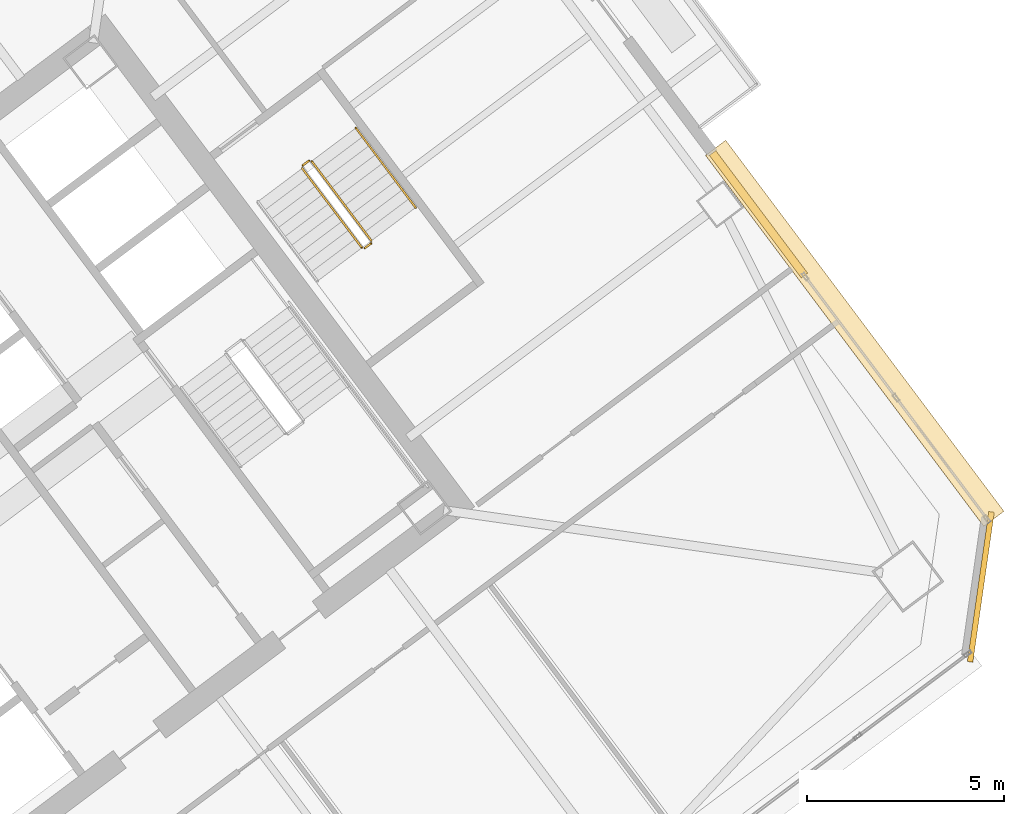
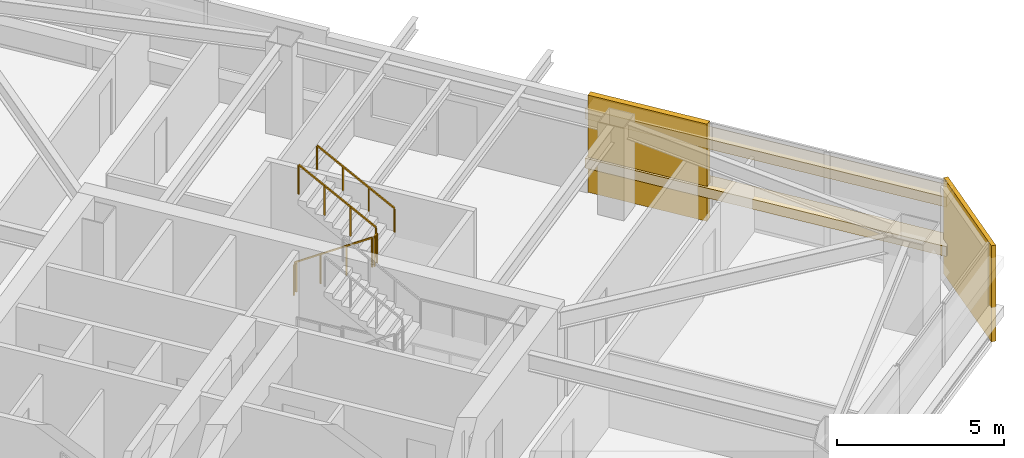
# One storey, part 43 of 44: 5 railings, 4 coverings.
"""IFC4 building model written with IfcOpenShell, lengths in metres."""

from ifc_helpers import new_model, si_unit, direction, frame, origin, origin_2d, place, context, subcontext, project, spatial, rectangle, extrude, material, layer, layer_set, type_object, element, save


model = new_model("IFC4")

# Units and contexts
model_context = context("Model", 3, precision=1e-05, world=origin(), true_north=direction((0.0, 1.0)))
body_context = subcontext(model_context, "Body", "Model", "MODEL_VIEW")
ifc_project = project(units=[si_unit("LENGTHUNIT", "METRE"), si_unit("AREAUNIT", "SQUARE_METRE"), si_unit("VOLUMEUNIT", "CUBIC_METRE"), si_unit("PLANEANGLEUNIT", "RADIAN"), si_unit("MASSUNIT", "GRAM", prefix="KILO")], contexts=[model_context])

# Site, building, storey
site_placement = place(None, origin())
site = spatial("IfcSite", under=ifc_project, at=site_placement, CompositionType="ELEMENT")
building_placement = place(site_placement, origin())
building = spatial("IfcBuilding", under=site, at=building_placement, Name="Tashvorn Skyway Center", CompositionType="ELEMENT")
storey_placement = place(building_placement, frame((0.0, 0.0, 128.60009765625)))
storey = spatial("IfcBuildingStorey", under=building, at=storey_placement, Name="L34", CompositionType="ELEMENT", Elevation=128.60009765625)

# Coverings
ifc_material_1 = material(Name="Precast concrete C40/50", Category="concrete")
ifc_layer_1 = layer(ifc_material_1, 0.199951171875)
ifc_layer_set_1 = layer_set([ifc_layer_1], Name="Precast concrete C40/50")
covering_type_1 = type_object("IfcCoveringType", Name="COV-BRACE-CLAD", PredefinedType="CLADDING", material=ifc_layer_set_1)
covering_1_placement = place(storey_placement, frame((132.3369140625, 38.017333984375, 0.0), z_axis=(0.0, 0.0, 1.0), x_axis=(0.600000004945, -0.799999996291, 0.0)))
element("IfcCovering", 1, at=covering_1_placement, inside=storey, type_object=covering_type_1, Name="Tower 2 L34 East Curtain Wall R Mega-Brace Cladding Band 1", PredefinedType="CLADDING", context=body_context, shape_type="SweptSolid", body=[
    extrude(rectangle(XDim=3.876708984375, YDim=0.199951171875, at=origin_2d()), origin(), (0.0, 0.0, 1.0), 3.550048828125),
])
ifc_material_2 = material(Name="Perforated ceramic-coated bronze aluminium solar screen", Category="aluminium")
ifc_layer_2 = layer(ifc_material_2, 0.85009765625)
ifc_layer_set_2 = layer_set([ifc_layer_2], Name="Perforated ceramic-coated bronze aluminium solar screen")
covering_type_2 = type_object("IfcCoveringType", Name="COV-SOLAR-BAND", PredefinedType="CLADDING", material=ifc_layer_set_2)
for number, where, z_axis, x_axis, name in (
    (2, (134.77490234375, 35.0, 0.919921875), (0.0, 0.0, 1.0), (0.600000004945, -0.799999996291, 0.0), "L34 Perforated Ceramic-Metal Solar Screen Louvre Band East 1"),
    (3, (134.77490234375, 35.0, 2.7197265625), (0.0, 0.0, 1.0), (0.600000004945, -0.799999996291, 0.0), "L34 Perforated Ceramic-Metal Solar Screen Louvre Band East 2"),
):
    element("IfcCovering", number, at=place(storey_placement, frame(where, z_axis=z_axis, x_axis=x_axis)), inside=storey, type_object=covering_type_2, Name=name, PredefinedType="CLADDING", context=body_context, shape_type="SweptSolid", body=[
        extrude(rectangle(XDim=11.75, YDim=0.639892578125, at=origin_2d()), origin(), (0.0, 0.0, 1.0), 0.360107421875),
    ])
ifc_layer_3 = layer(ifc_material_1, 0.35009765625)
ifc_layer_set_3 = layer_set([ifc_layer_3], Name="Precast concrete C40/50")
covering_type_3 = type_object("IfcCoveringType", Name="COV-STONE-TRIM", PredefinedType="CLADDING", material=ifc_layer_set_3)
covering_2_placement = place(storey_placement, frame((137.968017578125, 28.575927734375, 0.02001953125), z_axis=(0.0, 0.0, 1.0), x_axis=(0.141421350118, 0.989949494535, 0.0)))
element("IfcCovering", 4, at=covering_2_placement, inside=storey, type_object=covering_type_3, Name="Tower 2 L34 SE Mojave Limestone Corner Quoin", PredefinedType="CLADDING", context=body_context, shape_type="SweptSolid", body=[
    extrude(rectangle(XDim=3.8369140625, YDim=0.139892578125, at=origin_2d()), origin(), (0.0, 0.0, 1.0), 3.510009765625),
])

# Railings
ifc_material_3 = material(Name="Brushed stainless steel 316", Category="steel")
railing_type_1 = type_object("IfcRailingType", Name="RAIL-HAND-920", PredefinedType="HANDRAIL", material=ifc_material_3)
railing_1_placement = place(storey_placement, frame((123.64794921875, 38.18603515625, 1.952392578125)))
element("IfcRailing", 5, at=railing_1_placement, inside=storey, type_object=railing_type_1, Name="L34 ST-T2-3 stair handrail 2", PredefinedType="HANDRAIL", context=body_context, shape_type="SweptSolid", body=[
    extrude(rectangle(XDim=0.048095703125, YDim=0.048095703125, at=origin_2d()), frame((0.0, 0.0, 0.8759765625), z_axis=(-0.506768818287, 0.675664481285, 0.535409071218), x_axis=(-0.79998837352, -0.60001550166, 0.0)), (0.0, 0.0, 1.0), 2.983642578125),
    extrude(rectangle(XDim=0.0419921875, YDim=0.0419921875, at=origin_2d()), origin(), (0.0, 0.0, 1.0), 0.851806640625),
    extrude(rectangle(XDim=0.0419921875, YDim=0.0419921875, at=origin_2d()), frame((-0.50390625, 0.671875, 0.532470703125)), (0.0, 0.0, 1.0), 0.851806640625),
    extrude(rectangle(XDim=0.0419921875, YDim=0.0419921875, at=origin_2d()), frame((-1.008056640625, 1.343994140625, 1.06494140625)), (0.0, 0.0, 1.0), 0.851806640625),
    extrude(rectangle(XDim=0.0419921875, YDim=0.0419921875, at=origin_2d()), frame((-1.511962890625, 2.015869140625, 1.597412109375)), (0.0, 0.0, 1.0), 0.851806640625),
])
ifc_material_4 = material(Name="Painted galvanized steel S355", Category="steel")
railing_type_2 = type_object("IfcRailingType", Name="RAIL-STGUARD-1100", PredefinedType="GUARDRAIL", material=ifc_material_4)
railing_2_placement = place(storey_placement, frame((120.77587890625, 39.181884765625, 0.177490234375)))
element("IfcRailing", 6, at=railing_2_placement, inside=storey, type_object=railing_type_2, Name="L34 ST-T2-3 stair guard 1", PredefinedType="GUARDRAIL", context=body_context, shape_type="SweptSolid", body=[
    extrude(rectangle(XDim=0.048095703125, YDim=0.048095703125, at=origin_2d()), frame((0.0, 0.0, 1.076171875), z_axis=(0.506829628838, -0.67563646195, 0.535386868177), x_axis=(0.799941867976, 0.600077501544, 0.0)), (0.0, 0.0, 1.0), 2.983642578125),
    extrude(rectangle(XDim=0.0419921875, YDim=0.0419921875, at=origin_2d()), origin(), (0.0, 0.0, 1.0), 1.052001953125),
    extrude(rectangle(XDim=0.0419921875, YDim=0.0419921875, at=origin_2d()), frame((0.504150390625, -0.671875, 0.532470703125)), (0.0, 0.0, 1.0), 1.052001953125),
    extrude(rectangle(XDim=0.0419921875, YDim=0.0419921875, at=origin_2d()), frame((1.008056640625, -1.343994140625, 1.06494140625)), (0.0, 0.0, 1.0), 1.052001953125),
    extrude(rectangle(XDim=0.0419921875, YDim=0.0419921875, at=origin_2d()), frame((1.51220703125, -2.015869140625, 1.597412109375)), (0.0, 0.0, 1.0), 1.052001953125),
])
railing_3_placement = place(storey_placement, frame((122.35791015625, 37.156005859375, 1.77490234375)))
element("IfcRailing", 7, at=railing_3_placement, inside=storey, type_object=railing_type_2, Name="L34 ST-T2-3 stair guard 2", PredefinedType="GUARDRAIL", context=body_context, shape_type="SweptSolid", body=[
    extrude(rectangle(XDim=0.048095703125, YDim=0.048095703125, at=origin_2d()), frame((0.0, 0.0, 1.076171875), z_axis=(0.800585412921, 0.599218655098, 0.0), x_axis=(-0.599218655098, 0.800585412921, 0.0)), (0.0, 0.0, 1.0), 0.199951171875),
    extrude(rectangle(XDim=0.0419921875, YDim=0.0419921875, at=origin_2d()), origin(), (0.0, 0.0, 1.0), 1.052001953125),
    extrude(rectangle(XDim=0.0419921875, YDim=0.0419921875, at=origin_2d()), frame((0.16015625, 0.119873046875, 0.0)), (0.0, 0.0, 1.0), 1.052001953125),
])
railing_4_placement = place(storey_placement, frame((122.528076171875, 37.345947265625, 1.952392578125)))
element("IfcRailing", 8, at=railing_4_placement, inside=storey, type_object=railing_type_2, Name="L34 ST-T2-3 stair guard 3", PredefinedType="GUARDRAIL", context=body_context, shape_type="SweptSolid", body=[
    extrude(rectangle(XDim=0.048095703125, YDim=0.048095703125, at=origin_2d()), frame((0.0, 0.0, 1.076171875), z_axis=(-0.506740800098, 0.675708949977, 0.535379469569), x_axis=(-0.800023250257, -0.599968998406, 0.0)), (0.0, 0.0, 1.0), 2.983642578125),
    extrude(rectangle(XDim=0.0419921875, YDim=0.0419921875, at=origin_2d()), origin(), (0.0, 0.0, 1.0), 1.052001953125),
    extrude(rectangle(XDim=0.0419921875, YDim=0.0419921875, at=origin_2d()), frame((-0.50390625, 0.672119140625, 0.532470703125)), (0.0, 0.0, 1.0), 1.052001953125),
    extrude(rectangle(XDim=0.0419921875, YDim=0.0419921875, at=origin_2d()), frame((-1.008056640625, 1.343994140625, 1.06494140625)), (0.0, 0.0, 1.0), 1.052001953125),
    extrude(rectangle(XDim=0.0419921875, YDim=0.0419921875, at=origin_2d()), frame((-1.511962890625, 2.01611328125, 1.597412109375)), (0.0, 0.0, 1.0), 1.052001953125),
])
railing_5_placement = place(storey_placement, frame((120.785888671875, 39.251953125, 0.0)))
element("IfcRailing", 9, at=railing_5_placement, inside=storey, type_object=railing_type_2, Name="L34 ST-T2-3 stair guard 4", PredefinedType="GUARDRAIL", context=body_context, shape_type="SweptSolid", body=[
    extrude(rectangle(XDim=0.048095703125, YDim=0.048095703125, at=origin_2d()), frame((0.0, 0.0, 1.076171875), z_axis=(0.8, 0.6, 0.0), x_axis=(-0.6, 0.8, 0.0)), (0.0, 0.0, 1.0), 0.2001953125),
    extrude(rectangle(XDim=0.0419921875, YDim=0.0419921875, at=origin_2d()), origin(), (0.0, 0.0, 1.0), 1.052001953125),
    extrude(rectangle(XDim=0.0419921875, YDim=0.0419921875, at=origin_2d()), frame((0.16015625, 0.1201171875, 0.0)), (0.0, 0.0, 1.0), 1.052001953125),
])

save(model, "model.ifc")
